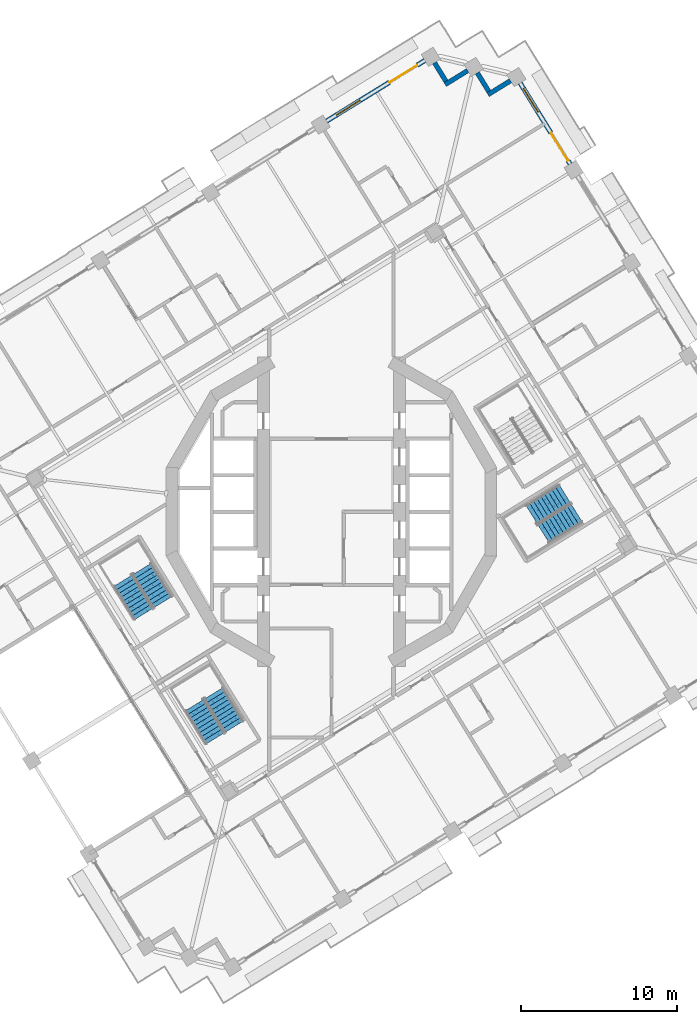
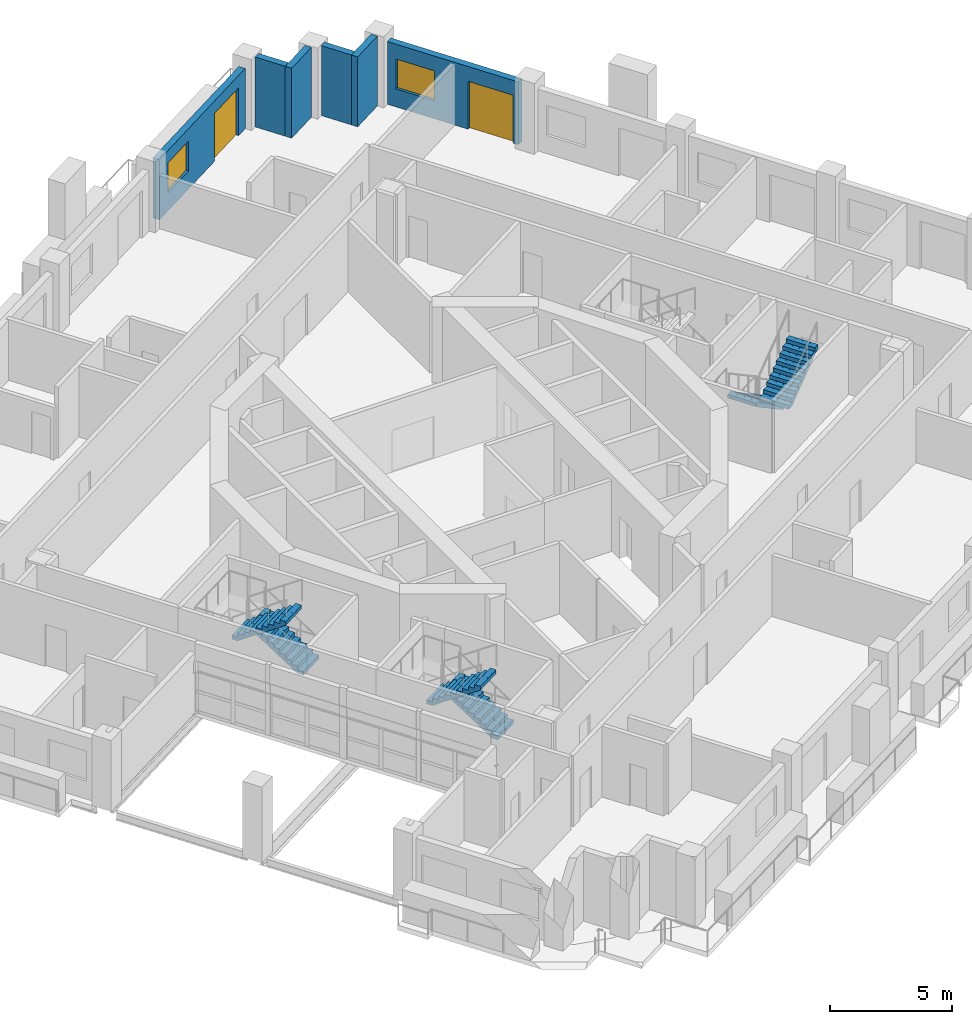
# One storey, part 13 of 22: 6 stair flights, 6 walls, 2 doors, 2 windows, 4 openings, 3 elements without a shape of their own.
"""IFC4 building model written with IfcOpenShell, lengths in metres."""

from ifc_helpers import new_model, si_unit, direction, frame, frame_2d, origin, place, context, subcontext, project, spatial, polyline, rectangle, outline, extrude, material, layer, layer_set, type_object, element, fill, aggregate, save


model = new_model("IFC4")

# Units and contexts
model_context = context("Model", 3, precision=1e-05, world=origin(), true_north=direction((0.0, 1.0)))
body_context = subcontext(model_context, "Body", "Model", "MODEL_VIEW")
ifc_project = project(units=[si_unit("LENGTHUNIT", "METRE"), si_unit("AREAUNIT", "SQUARE_METRE"), si_unit("VOLUMEUNIT", "CUBIC_METRE"), si_unit("PLANEANGLEUNIT", "RADIAN"), si_unit("MASSUNIT", "GRAM", prefix="KILO")], contexts=[model_context])

# Site, building, storey
site_placement = place(None, origin())
site = spatial("IfcSite", under=ifc_project, at=site_placement, CompositionType="ELEMENT")
building_placement = place(site_placement, origin())
building = spatial("IfcBuilding", under=site, at=building_placement, Name="Cantera Rosa Tower", CompositionType="ELEMENT")
storey_placement = place(building_placement, frame((0.0, 0.0, 166.60009765625)))
storey = spatial("IfcBuildingStorey", under=building, at=storey_placement, Name="L36", CompositionType="ELEMENT", Elevation=166.60009765625)

# Walls
ifc_material_1 = material(Name="Hollow clay masonry with cantera stone cladding", Category="masonry")
ifc_layer_1 = layer(ifc_material_1, 0.300048828125)
ifc_layer_set_1 = layer_set([ifc_layer_1], Name="EW-LOGGIA 300")
wall_type_1 = type_object("IfcWallType", Name="EW-LOGGIA 300", PredefinedType="SOLIDWALL", material=ifc_layer_set_1)
wall_1_placement = place(storey_placement, frame((11.51123046875, 27.72021484375, 0.0), z_axis=(0.0, 0.0, 1.0), x_axis=(-0.851130227454, -0.524954603669, 0.0)))
element("IfcWall", 1, at=wall_1_placement, inside=storey, type_object=wall_type_1, Name="EN-L36-W06a", PredefinedType="SOLIDWALL", context=body_context, shape_type="SweptSolid", body=[
    extrude(rectangle(XDim=1.699951171875, YDim=0.300048828125, at=frame_2d((0.85009765625, 0.0))), origin(), (0.0, 0.0, 1.0), 3.5),
])
wall_2_placement = place(storey_placement, frame((10.11328125, 27.0341796875, 0.0), z_axis=(0.0, 0.0, 1.0), x_axis=(-0.524895019961, 0.85116697423, 0.0)))
element("IfcWall", 2, at=wall_2_placement, inside=storey, type_object=wall_type_1, Name="EN-L36-W06b", PredefinedType="SOLIDWALL", context=body_context, shape_type="SweptSolid", body=[
    extrude(rectangle(XDim=1.39990234375, YDim=0.300048828125, at=frame_2d((0.699951171875, 0.0))), origin(), (0.0, 0.0, 1.0), 3.5),
])
wall_3_placement = place(storey_placement, frame((8.75927734375, 28.37255859375, 0.0), z_axis=(0.0, 0.0, 1.0), x_axis=(-0.851105638601, -0.524994468487, 0.0)))
element("IfcWall", 3, at=wall_3_placement, inside=storey, type_object=wall_type_1, Name="EN-L36-W07a", PredefinedType="SOLIDWALL", context=body_context, shape_type="SweptSolid", body=[
    extrude(rectangle(XDim=1.7001953125, YDim=0.300048828125, at=frame_2d((0.85009765625, 0.0))), origin(), (0.0, 0.0, 1.0), 3.5),
])
wall_4_placement = place(storey_placement, frame((7.361083984375, 27.6865234375, 0.0), z_axis=(0.0, 0.0, 1.0), x_axis=(-0.524895019961, 0.85116697423, 0.0)))
element("IfcWall", 4, at=wall_4_placement, inside=storey, type_object=wall_type_1, Name="EN-L36-W07b", PredefinedType="SOLIDWALL", context=body_context, shape_type="SweptSolid", body=[
    extrude(rectangle(XDim=1.39990234375, YDim=0.300048828125, at=frame_2d((0.699951171875, 0.0))), origin(), (0.0, 0.0, 1.0), 3.5),
])

# Wall, openings, window, door
ifc_material_2 = material(Name="Hollow clay masonry with cantera stone cladding", Category="masonry")
ifc_layer_2 = layer(ifc_material_2, 0.300048828125)
ifc_layer_set_2 = layer_set([ifc_layer_2], Name="EW-LOGGIA 300 H3020")
wall_type_2 = type_object("IfcWallType", Name="EW-LOGGIA 300 H3020", PredefinedType="SOLIDWALL", material=ifc_layer_set_2)
wall_5_placement = place(storey_placement, frame((6.007080078125, 29.02490234375, 0.0), z_axis=(0.0, 0.0, 1.0), x_axis=(-0.851111085575, -0.524985637909, 0.0)))
wall_5 = element("IfcWall", 5, at=wall_5_placement, inside=storey, type_object=wall_type_2, Name="EN-L36-W08", PredefinedType="SOLIDWALL", context=body_context, shape_type="SweptSolid", body=[
    extrude(rectangle(XDim=7.420166015625, YDim=0.300048828125, at=frame_2d((3.7099609375, 0.0))), origin(), (0.0, 0.0, 1.0), 3.02001953125),
])
opening_1_placement = place(wall_5_placement, frame((0.580078125, 0.0, 0.0)))
opening_1 = element("IfcOpeningElement", 6, at=opening_1_placement, cuts=wall_5, Name="Opening L36-TD11", PredefinedType="OPENING", context=body_context, shape_type="SweptSolid", body=[
    extrude(rectangle(XDim=2.10009765625, YDim=2.39990234375, at=frame_2d((1.050048828125, 1.199951171875))), frame((0.0, 0.159912109375, 0.0), z_axis=(0.0, -1.0, 0.0), x_axis=(1.0, 0.0, 0.0)), (0.0, 0.0, 1.0), 0.320068359375),
])
opening_2_placement = place(wall_5_placement, frame((4.889892578125, 0.0, 0.89990234375)))
opening_2 = element("IfcOpeningElement", 7, at=opening_2_placement, cuts=wall_5, Name="Opening L36-W12", PredefinedType="OPENING", context=body_context, shape_type="SweptSolid", body=[
    extrude(rectangle(XDim=1.800048828125, YDim=1.5, at=frame_2d((0.89990234375, 0.75))), frame((0.0, 0.159912109375, 0.0), z_axis=(0.0, -1.0, 0.0), x_axis=(1.0, 0.0, 0.0)), (0.0, 0.0, 1.0), 0.320068359375),
])
ifc_material_3 = material(Name="Aluminium frame with clear glass", Category="aluminium")
window_type = type_object("IfcWindowType", Name="Hotel room window 1800x1500", PartitioningType="DOUBLE_PANEL_VERTICAL", PredefinedType="WINDOW", material=ifc_material_3)
window_1_placement = place(opening_2_placement, origin())
window_1 = element("IfcWindow", 8, at=window_1_placement, inside=storey, type_object=window_type, Name="WINDOW L36-W12", OverallHeight=1.5, OverallWidth=1.800048828125, PartitioningType="SINGLE_PANEL", PredefinedType="WINDOW", context=body_context, shape_type="SweptSolid", body=[
    extrude(rectangle(XDim=1.800048828125, YDim=1.5, at=frame_2d((0.89990234375, 0.75))), frame((0.0, 0.030029296875, 0.0), z_axis=(0.0, -1.0, 0.0), x_axis=(1.0, 0.0, 0.0)), (0.0, 0.0, 1.0), 0.06005859375),
])
fill(opening_2, window_1)
ifc_material_4 = material(Name="Aluminium frame with clear glass", Category="aluminium")
door_type = type_object("IfcDoorType", Name="TD-H 2100x2400", OperationType="NOTDEFINED", PredefinedType="DOOR", material=ifc_material_4)
door_1_placement = place(opening_1_placement, origin())
door_1 = element("IfcDoor", 9, at=door_1_placement, inside=storey, type_object=door_type, Name="LOGGIA DOOR L36-TD11", OperationType="SLIDING_TO_LEFT", OverallHeight=2.39990234375, OverallWidth=2.10009765625, PredefinedType="DOOR", context=body_context, shape_type="SweptSolid", body=[
    extrude(rectangle(XDim=2.10009765625, YDim=2.39990234375, at=frame_2d((1.050048828125, 1.199951171875))), frame((0.0, 0.02490234375, 0.0), z_axis=(0.0, -1.0, 0.0), x_axis=(1.0, 0.0, 0.0)), (0.0, 0.0, 1.0), 0.050048828125),
])
fill(opening_1, door_1)

ifc_material_5 = material(Name="Hollow clay masonry with cantera stone cladding", Category="masonry")
ifc_layer_3 = layer(ifc_material_5, 0.300048828125)
ifc_layer_set_3 = layer_set([ifc_layer_3], Name="EW-LOGGIA 300 H3140")
wall_type_3 = type_object("IfcWallType", Name="EW-LOGGIA 300 H3140", PredefinedType="SOLIDWALL", material=ifc_layer_set_3)
wall_6_placement = place(storey_placement, frame((15.343505859375, 22.36474609375, 0.0), z_axis=(0.0, 0.0, 1.0), x_axis=(-0.524987447654, 0.851109969279, 0.0)))
wall_6 = element("IfcWall", 10, at=wall_6_placement, inside=storey, type_object=wall_type_3, Name="EN-L36-W05", PredefinedType="SOLIDWALL", context=body_context, shape_type="SweptSolid", body=[
    extrude(rectangle(XDim=6.119873046875, YDim=0.300048828125, at=frame_2d((3.06005859375, 0.0))), origin(), (0.0, 0.0, 1.0), 3.139892578125),
])
opening_3_placement = place(wall_6_placement, frame((0.2548828125, 0.0, 0.0)))
opening_3 = element("IfcOpeningElement", 11, at=opening_3_placement, cuts=wall_6, Name="Opening L36-TD09", PredefinedType="OPENING", context=body_context, shape_type="SweptSolid", body=[
    extrude(rectangle(XDim=2.10009765625, YDim=2.39990234375, at=frame_2d((1.050048828125, 1.199951171875))), frame((0.0, 0.159912109375, 0.0), z_axis=(0.0, -1.0, 0.0), x_axis=(1.0, 0.0, 0.0)), (0.0, 0.0, 1.0), 0.320068359375),
])
opening_4_placement = place(wall_6_placement, frame((3.9150390625, 0.0, 0.89990234375)))
opening_4 = element("IfcOpeningElement", 12, at=opening_4_placement, cuts=wall_6, Name="Opening L36-W10", PredefinedType="OPENING", context=body_context, shape_type="SweptSolid", body=[
    extrude(rectangle(XDim=1.800048828125, YDim=1.5, at=frame_2d((0.89990234375, 0.75))), frame((0.0, 0.159912109375, 0.0), z_axis=(0.0, -1.0, 0.0), x_axis=(1.0, 0.0, 0.0)), (0.0, 0.0, 1.0), 0.320068359375),
])
window_2_placement = place(opening_4_placement, origin())
window_2 = element("IfcWindow", 13, at=window_2_placement, inside=storey, type_object=window_type, Name="WINDOW L36-W10", OverallHeight=1.5, OverallWidth=1.800048828125, PartitioningType="SINGLE_PANEL", PredefinedType="WINDOW", context=body_context, shape_type="SweptSolid", body=[
    extrude(rectangle(XDim=1.800048828125, YDim=1.5, at=frame_2d((0.89990234375, 0.75))), frame((0.0, 0.030029296875, 0.0), z_axis=(0.0, -1.0, 0.0), x_axis=(1.0, 0.0, 0.0)), (0.0, 0.0, 1.0), 0.06005859375),
])
fill(opening_4, window_2)
door_2_placement = place(opening_3_placement, origin())
door_2 = element("IfcDoor", 14, at=door_2_placement, inside=storey, type_object=door_type, Name="LOGGIA DOOR L36-TD09", OperationType="SLIDING_TO_LEFT", OverallHeight=2.39990234375, OverallWidth=2.10009765625, PredefinedType="DOOR", context=body_context, shape_type="SweptSolid", body=[
    extrude(rectangle(XDim=2.10009765625, YDim=2.39990234375, at=frame_2d((1.050048828125, 1.199951171875))), frame((0.0, 0.02490234375, 0.0), z_axis=(0.0, -1.0, 0.0), x_axis=(1.0, 0.0, 0.0)), (0.0, 0.0, 1.0), 0.050048828125),
])
fill(opening_3, door_2)

# Stair, stair flights
ifc_material_6 = material(Name="Concrete C35/45", Category="concrete")
stair_type = type_object("IfcStairType", Name="EXIT STAIR 1350 DOGLEG", PredefinedType="HALF_TURN_STAIR", material=ifc_material_6)
stair_1_placement = place(storey_placement, origin())
stair_1 = element("IfcStair", 15, at=stair_1_placement, inside=storey, type_object=stair_type, Name="L36 ST-32", PredefinedType="HALF_TURN_STAIR")
ifc_material_7 = material(Name="Concrete C35/45", Category="concrete")
stair_flight_type = type_object("IfcStairFlightType", Name="STAIR FLIGHT 1350 R20x190", PredefinedType="STRAIGHT", material=ifc_material_7)
stair_flight_1_placement = place(storey_placement, frame((-10.82666015625, -5.7978515625, 0.0), z_axis=(0.0, 0.0, 1.0), x_axis=(-0.524976585286, 0.851116669383, 0.0)))
stair_flight_1 = element("IfcStairFlight", 16, at=stair_flight_1_placement, type_object=stair_flight_type, Name="ST-32 flight 1", NumberOfRisers=10, NumberOfTreads=9, PredefinedType="STRAIGHT", RiserHeight=0.19, TreadLength=0.28, context=body_context, shape_type="SweptSolid", body=[
    extrude(outline(polyline([(0.0, 0.0), (0.0, 0.18994140625), (0.280029296875, 0.18994140625), (0.280029296875, 0.3798828125), (0.56005859375, 0.3798828125), (0.56005859375, 0.570068359375), (0.840087890625, 0.570068359375), (0.840087890625, 0.760009765625), (1.1201171875, 0.760009765625), (1.1201171875, 0.949951171875), (1.39990234375, 0.949951171875), (1.39990234375, 1.139892578125), (1.679931640625, 1.139892578125), (1.679931640625, 1.330078125), (1.9599609375, 1.330078125), (1.9599609375, 1.52001953125), (2.239990234375, 1.52001953125), (2.239990234375, 1.7099609375), (2.52001953125, 1.7099609375), (2.52001953125, 1.89990234375), (2.52001953125, 1.52880859375), (0.266845703125, 0.0), (0.0, 0.0)])), frame((0.0, 0.675048828125, 0.0), z_axis=(0.0, -1.0, 0.0), x_axis=(1.0, 0.0, 0.0)), (0.0, 0.0, 1.0), 0.3359375),
    extrude(outline(polyline([(0.0, 0.0), (0.0, 0.18994140625), (0.280029296875, 0.18994140625), (0.280029296875, 0.3798828125), (0.56005859375, 0.3798828125), (0.56005859375, 0.570068359375), (0.840087890625, 0.570068359375), (0.840087890625, 0.760009765625), (1.1201171875, 0.760009765625), (1.1201171875, 0.949951171875), (1.39990234375, 0.949951171875), (1.39990234375, 1.139892578125), (1.679931640625, 1.139892578125), (1.679931640625, 1.330078125), (1.9599609375, 1.330078125), (1.9599609375, 1.52001953125), (2.239990234375, 1.52001953125), (2.239990234375, 1.7099609375), (2.52001953125, 1.7099609375), (2.52001953125, 1.89990234375), (2.52001953125, 1.52880859375), (0.266845703125, 0.0), (0.0, 0.0)])), frame((0.0, 0.337158203125, 0.0), z_axis=(0.0, -1.0, 0.0), x_axis=(1.0, 0.0, 0.0)), (0.0, 0.0, 1.0), 0.3359375),
    extrude(outline(polyline([(0.0, 0.0), (0.0, 0.18994140625), (0.280029296875, 0.18994140625), (0.280029296875, 0.3798828125), (0.56005859375, 0.3798828125), (0.56005859375, 0.570068359375), (0.840087890625, 0.570068359375), (0.840087890625, 0.760009765625), (1.1201171875, 0.760009765625), (1.1201171875, 0.949951171875), (1.39990234375, 0.949951171875), (1.39990234375, 1.139892578125), (1.679931640625, 1.139892578125), (1.679931640625, 1.330078125), (1.9599609375, 1.330078125), (1.9599609375, 1.52001953125), (2.239990234375, 1.52001953125), (2.239990234375, 1.7099609375), (2.52001953125, 1.7099609375), (2.52001953125, 1.89990234375), (2.52001953125, 1.52880859375), (0.266845703125, 0.0), (0.0, 0.0)])), frame((0.0, -0.000732421875, 0.0), z_axis=(0.0, -1.0, 0.0), x_axis=(1.0, 0.0, 0.0)), (0.0, 0.0, 1.0), 0.3359375),
    extrude(outline(polyline([(0.0, 0.0), (0.0, 0.18994140625), (0.280029296875, 0.18994140625), (0.280029296875, 0.3798828125), (0.56005859375, 0.3798828125), (0.56005859375, 0.570068359375), (0.840087890625, 0.570068359375), (0.840087890625, 0.760009765625), (1.1201171875, 0.760009765625), (1.1201171875, 0.949951171875), (1.39990234375, 0.949951171875), (1.39990234375, 1.139892578125), (1.679931640625, 1.139892578125), (1.679931640625, 1.330078125), (1.9599609375, 1.330078125), (1.9599609375, 1.52001953125), (2.239990234375, 1.52001953125), (2.239990234375, 1.7099609375), (2.52001953125, 1.7099609375), (2.52001953125, 1.89990234375), (2.52001953125, 1.52880859375), (0.266845703125, 0.0), (0.0, 0.0)])), frame((0.0, -0.338623046875, 0.0), z_axis=(0.0, -1.0, 0.0), x_axis=(1.0, 0.0, 0.0)), (0.0, 0.0, 1.0), 0.3359375),
])
stair_flight_2_placement = place(storey_placement, frame((-13.42626953125, -4.4404296875, 1.89990234375), z_axis=(0.0, 0.0, 1.0), x_axis=(0.524976585286, -0.851116669383, 0.0)))
stair_flight_2 = element("IfcStairFlight", 17, at=stair_flight_2_placement, type_object=stair_flight_type, Name="ST-32 flight 2", NumberOfRisers=10, NumberOfTreads=9, PredefinedType="STRAIGHT", RiserHeight=0.19, TreadLength=0.28, context=body_context, shape_type="SweptSolid", body=[
    extrude(outline(polyline([(0.0, 0.0), (0.0, 0.18994140625), (0.280029296875, 0.18994140625), (0.280029296875, 0.3798828125), (0.56005859375, 0.3798828125), (0.56005859375, 0.570068359375), (0.840087890625, 0.570068359375), (0.840087890625, 0.760009765625), (1.1201171875, 0.760009765625), (1.1201171875, 0.949951171875), (1.39990234375, 0.949951171875), (1.39990234375, 1.139892578125), (1.679931640625, 1.139892578125), (1.679931640625, 1.330078125), (1.9599609375, 1.330078125), (1.9599609375, 1.52001953125), (2.239990234375, 1.52001953125), (2.239990234375, 1.7099609375), (2.52001953125, 1.7099609375), (2.52001953125, 1.89990234375), (2.52001953125, 1.52880859375), (0.266845703125, 0.0), (0.0, 0.0)])), frame((0.0, 0.675048828125, 0.0), z_axis=(0.0, -1.0, 0.0), x_axis=(1.0, 0.0, 0.0)), (0.0, 0.0, 1.0), 0.3359375),
    extrude(outline(polyline([(0.0, 0.0), (0.0, 0.18994140625), (0.280029296875, 0.18994140625), (0.280029296875, 0.3798828125), (0.56005859375, 0.3798828125), (0.56005859375, 0.570068359375), (0.840087890625, 0.570068359375), (0.840087890625, 0.760009765625), (1.1201171875, 0.760009765625), (1.1201171875, 0.949951171875), (1.39990234375, 0.949951171875), (1.39990234375, 1.139892578125), (1.679931640625, 1.139892578125), (1.679931640625, 1.330078125), (1.9599609375, 1.330078125), (1.9599609375, 1.52001953125), (2.239990234375, 1.52001953125), (2.239990234375, 1.7099609375), (2.52001953125, 1.7099609375), (2.52001953125, 1.89990234375), (2.52001953125, 1.52880859375), (0.266845703125, 0.0), (0.0, 0.0)])), frame((0.0, 0.337158203125, 0.0), z_axis=(0.0, -1.0, 0.0), x_axis=(1.0, 0.0, 0.0)), (0.0, 0.0, 1.0), 0.3359375),
    extrude(outline(polyline([(0.0, 0.0), (0.0, 0.18994140625), (0.280029296875, 0.18994140625), (0.280029296875, 0.3798828125), (0.56005859375, 0.3798828125), (0.56005859375, 0.570068359375), (0.840087890625, 0.570068359375), (0.840087890625, 0.760009765625), (1.1201171875, 0.760009765625), (1.1201171875, 0.949951171875), (1.39990234375, 0.949951171875), (1.39990234375, 1.139892578125), (1.679931640625, 1.139892578125), (1.679931640625, 1.330078125), (1.9599609375, 1.330078125), (1.9599609375, 1.52001953125), (2.239990234375, 1.52001953125), (2.239990234375, 1.7099609375), (2.52001953125, 1.7099609375), (2.52001953125, 1.89990234375), (2.52001953125, 1.52880859375), (0.266845703125, 0.0), (0.0, 0.0)])), frame((0.0, -0.000732421875, 0.0), z_axis=(0.0, -1.0, 0.0), x_axis=(1.0, 0.0, 0.0)), (0.0, 0.0, 1.0), 0.3359375),
    extrude(outline(polyline([(0.0, 0.0), (0.0, 0.18994140625), (0.280029296875, 0.18994140625), (0.280029296875, 0.3798828125), (0.56005859375, 0.3798828125), (0.56005859375, 0.570068359375), (0.840087890625, 0.570068359375), (0.840087890625, 0.760009765625), (1.1201171875, 0.760009765625), (1.1201171875, 0.949951171875), (1.39990234375, 0.949951171875), (1.39990234375, 1.139892578125), (1.679931640625, 1.139892578125), (1.679931640625, 1.330078125), (1.9599609375, 1.330078125), (1.9599609375, 1.52001953125), (2.239990234375, 1.52001953125), (2.239990234375, 1.7099609375), (2.52001953125, 1.7099609375), (2.52001953125, 1.89990234375), (2.52001953125, 1.52880859375), (0.266845703125, 0.0), (0.0, 0.0)])), frame((0.0, -0.338623046875, 0.0), z_axis=(0.0, -1.0, 0.0), x_axis=(1.0, 0.0, 0.0)), (0.0, 0.0, 1.0), 0.3359375),
])
aggregate(stair_1, [stair_flight_1, stair_flight_2])

stair_2_placement = place(storey_placement, origin())
stair_2 = element("IfcStair", 18, at=stair_2_placement, inside=storey, type_object=stair_type, Name="L36 ST-33", PredefinedType="HALF_TURN_STAIR")
stair_flight_3_placement = place(storey_placement, frame((-6.226806640625, -13.7978515625, 0.0), z_axis=(0.0, 0.0, 1.0), x_axis=(-0.524976585286, 0.851116669383, 0.0)))
stair_flight_3 = element("IfcStairFlight", 19, at=stair_flight_3_placement, type_object=stair_flight_type, Name="ST-33 flight 1", NumberOfRisers=10, NumberOfTreads=9, PredefinedType="STRAIGHT", RiserHeight=0.19, TreadLength=0.28, context=body_context, shape_type="SweptSolid", body=[
    extrude(outline(polyline([(0.0, 0.0), (0.0, 0.18994140625), (0.280029296875, 0.18994140625), (0.280029296875, 0.3798828125), (0.56005859375, 0.3798828125), (0.56005859375, 0.570068359375), (0.840087890625, 0.570068359375), (0.840087890625, 0.760009765625), (1.1201171875, 0.760009765625), (1.1201171875, 0.949951171875), (1.39990234375, 0.949951171875), (1.39990234375, 1.139892578125), (1.679931640625, 1.139892578125), (1.679931640625, 1.330078125), (1.9599609375, 1.330078125), (1.9599609375, 1.52001953125), (2.239990234375, 1.52001953125), (2.239990234375, 1.7099609375), (2.52001953125, 1.7099609375), (2.52001953125, 1.89990234375), (2.52001953125, 1.52880859375), (0.266845703125, 0.0), (0.0, 0.0)])), frame((0.0, 0.675048828125, 0.0), z_axis=(0.0, -1.0, 0.0), x_axis=(1.0, 0.0, 0.0)), (0.0, 0.0, 1.0), 0.3359375),
    extrude(outline(polyline([(0.0, 0.0), (0.0, 0.18994140625), (0.280029296875, 0.18994140625), (0.280029296875, 0.3798828125), (0.56005859375, 0.3798828125), (0.56005859375, 0.570068359375), (0.840087890625, 0.570068359375), (0.840087890625, 0.760009765625), (1.1201171875, 0.760009765625), (1.1201171875, 0.949951171875), (1.39990234375, 0.949951171875), (1.39990234375, 1.139892578125), (1.679931640625, 1.139892578125), (1.679931640625, 1.330078125), (1.9599609375, 1.330078125), (1.9599609375, 1.52001953125), (2.239990234375, 1.52001953125), (2.239990234375, 1.7099609375), (2.52001953125, 1.7099609375), (2.52001953125, 1.89990234375), (2.52001953125, 1.52880859375), (0.266845703125, 0.0), (0.0, 0.0)])), frame((0.0, 0.337158203125, 0.0), z_axis=(0.0, -1.0, 0.0), x_axis=(1.0, 0.0, 0.0)), (0.0, 0.0, 1.0), 0.3359375),
    extrude(outline(polyline([(0.0, 0.0), (0.0, 0.18994140625), (0.280029296875, 0.18994140625), (0.280029296875, 0.3798828125), (0.56005859375, 0.3798828125), (0.56005859375, 0.570068359375), (0.840087890625, 0.570068359375), (0.840087890625, 0.760009765625), (1.1201171875, 0.760009765625), (1.1201171875, 0.949951171875), (1.39990234375, 0.949951171875), (1.39990234375, 1.139892578125), (1.679931640625, 1.139892578125), (1.679931640625, 1.330078125), (1.9599609375, 1.330078125), (1.9599609375, 1.52001953125), (2.239990234375, 1.52001953125), (2.239990234375, 1.7099609375), (2.52001953125, 1.7099609375), (2.52001953125, 1.89990234375), (2.52001953125, 1.52880859375), (0.266845703125, 0.0), (0.0, 0.0)])), frame((0.0, -0.000732421875, 0.0), z_axis=(0.0, -1.0, 0.0), x_axis=(1.0, 0.0, 0.0)), (0.0, 0.0, 1.0), 0.3359375),
    extrude(outline(polyline([(0.0, 0.0), (0.0, 0.18994140625), (0.280029296875, 0.18994140625), (0.280029296875, 0.3798828125), (0.56005859375, 0.3798828125), (0.56005859375, 0.570068359375), (0.840087890625, 0.570068359375), (0.840087890625, 0.760009765625), (1.1201171875, 0.760009765625), (1.1201171875, 0.949951171875), (1.39990234375, 0.949951171875), (1.39990234375, 1.139892578125), (1.679931640625, 1.139892578125), (1.679931640625, 1.330078125), (1.9599609375, 1.330078125), (1.9599609375, 1.52001953125), (2.239990234375, 1.52001953125), (2.239990234375, 1.7099609375), (2.52001953125, 1.7099609375), (2.52001953125, 1.89990234375), (2.52001953125, 1.52880859375), (0.266845703125, 0.0), (0.0, 0.0)])), frame((0.0, -0.338623046875, 0.0), z_axis=(0.0, -1.0, 0.0), x_axis=(1.0, 0.0, 0.0)), (0.0, 0.0, 1.0), 0.3359375),
])
stair_flight_4_placement = place(storey_placement, frame((-8.826416015625, -12.4404296875, 1.89990234375), z_axis=(0.0, 0.0, 1.0), x_axis=(0.524976585286, -0.851116669383, 0.0)))
stair_flight_4 = element("IfcStairFlight", 20, at=stair_flight_4_placement, type_object=stair_flight_type, Name="ST-33 flight 2", NumberOfRisers=10, NumberOfTreads=9, PredefinedType="STRAIGHT", RiserHeight=0.19, TreadLength=0.28, context=body_context, shape_type="SweptSolid", body=[
    extrude(outline(polyline([(0.0, 0.0), (0.0, 0.18994140625), (0.280029296875, 0.18994140625), (0.280029296875, 0.3798828125), (0.56005859375, 0.3798828125), (0.56005859375, 0.570068359375), (0.840087890625, 0.570068359375), (0.840087890625, 0.760009765625), (1.1201171875, 0.760009765625), (1.1201171875, 0.949951171875), (1.39990234375, 0.949951171875), (1.39990234375, 1.139892578125), (1.679931640625, 1.139892578125), (1.679931640625, 1.330078125), (1.9599609375, 1.330078125), (1.9599609375, 1.52001953125), (2.239990234375, 1.52001953125), (2.239990234375, 1.7099609375), (2.52001953125, 1.7099609375), (2.52001953125, 1.89990234375), (2.52001953125, 1.52880859375), (0.266845703125, 0.0), (0.0, 0.0)])), frame((0.0, 0.675048828125, 0.0), z_axis=(0.0, -1.0, 0.0), x_axis=(1.0, 0.0, 0.0)), (0.0, 0.0, 1.0), 0.3359375),
    extrude(outline(polyline([(0.0, 0.0), (0.0, 0.18994140625), (0.280029296875, 0.18994140625), (0.280029296875, 0.3798828125), (0.56005859375, 0.3798828125), (0.56005859375, 0.570068359375), (0.840087890625, 0.570068359375), (0.840087890625, 0.760009765625), (1.1201171875, 0.760009765625), (1.1201171875, 0.949951171875), (1.39990234375, 0.949951171875), (1.39990234375, 1.139892578125), (1.679931640625, 1.139892578125), (1.679931640625, 1.330078125), (1.9599609375, 1.330078125), (1.9599609375, 1.52001953125), (2.239990234375, 1.52001953125), (2.239990234375, 1.7099609375), (2.52001953125, 1.7099609375), (2.52001953125, 1.89990234375), (2.52001953125, 1.52880859375), (0.266845703125, 0.0), (0.0, 0.0)])), frame((0.0, 0.337158203125, 0.0), z_axis=(0.0, -1.0, 0.0), x_axis=(1.0, 0.0, 0.0)), (0.0, 0.0, 1.0), 0.3359375),
    extrude(outline(polyline([(0.0, 0.0), (0.0, 0.18994140625), (0.280029296875, 0.18994140625), (0.280029296875, 0.3798828125), (0.56005859375, 0.3798828125), (0.56005859375, 0.570068359375), (0.840087890625, 0.570068359375), (0.840087890625, 0.760009765625), (1.1201171875, 0.760009765625), (1.1201171875, 0.949951171875), (1.39990234375, 0.949951171875), (1.39990234375, 1.139892578125), (1.679931640625, 1.139892578125), (1.679931640625, 1.330078125), (1.9599609375, 1.330078125), (1.9599609375, 1.52001953125), (2.239990234375, 1.52001953125), (2.239990234375, 1.7099609375), (2.52001953125, 1.7099609375), (2.52001953125, 1.89990234375), (2.52001953125, 1.52880859375), (0.266845703125, 0.0), (0.0, 0.0)])), frame((0.0, -0.000732421875, 0.0), z_axis=(0.0, -1.0, 0.0), x_axis=(1.0, 0.0, 0.0)), (0.0, 0.0, 1.0), 0.3359375),
    extrude(outline(polyline([(0.0, 0.0), (0.0, 0.18994140625), (0.280029296875, 0.18994140625), (0.280029296875, 0.3798828125), (0.56005859375, 0.3798828125), (0.56005859375, 0.570068359375), (0.840087890625, 0.570068359375), (0.840087890625, 0.760009765625), (1.1201171875, 0.760009765625), (1.1201171875, 0.949951171875), (1.39990234375, 0.949951171875), (1.39990234375, 1.139892578125), (1.679931640625, 1.139892578125), (1.679931640625, 1.330078125), (1.9599609375, 1.330078125), (1.9599609375, 1.52001953125), (2.239990234375, 1.52001953125), (2.239990234375, 1.7099609375), (2.52001953125, 1.7099609375), (2.52001953125, 1.89990234375), (2.52001953125, 1.52880859375), (0.266845703125, 0.0), (0.0, 0.0)])), frame((0.0, -0.338623046875, 0.0), z_axis=(0.0, -1.0, 0.0), x_axis=(1.0, 0.0, 0.0)), (0.0, 0.0, 1.0), 0.3359375),
])
aggregate(stair_2, [stair_flight_3, stair_flight_4])

stair_3_placement = place(storey_placement, origin())
stair_3 = element("IfcStair", 21, at=stair_3_placement, inside=storey, type_object=stair_type, Name="L36 ST-34", PredefinedType="HALF_TURN_STAIR")
stair_flight_5_placement = place(storey_placement, frame((14.997802734375, 1.17333984375, 0.0), z_axis=(0.0, 0.0, 1.0), x_axis=(-0.851116669383, -0.524976585286, 0.0)))
stair_flight_5 = element("IfcStairFlight", 22, at=stair_flight_5_placement, type_object=stair_flight_type, Name="ST-34 flight 1", NumberOfRisers=10, NumberOfTreads=9, PredefinedType="STRAIGHT", RiserHeight=0.19, TreadLength=0.28, context=body_context, shape_type="SweptSolid", body=[
    extrude(outline(polyline([(0.0, 0.0), (0.0, 0.18994140625), (0.280029296875, 0.18994140625), (0.280029296875, 0.3798828125), (0.56005859375, 0.3798828125), (0.56005859375, 0.570068359375), (0.840087890625, 0.570068359375), (0.840087890625, 0.760009765625), (1.1201171875, 0.760009765625), (1.1201171875, 0.949951171875), (1.39990234375, 0.949951171875), (1.39990234375, 1.139892578125), (1.679931640625, 1.139892578125), (1.679931640625, 1.330078125), (1.9599609375, 1.330078125), (1.9599609375, 1.52001953125), (2.239990234375, 1.52001953125), (2.239990234375, 1.7099609375), (2.52001953125, 1.7099609375), (2.52001953125, 1.89990234375), (2.52001953125, 1.52880859375), (0.266845703125, 0.0), (0.0, 0.0)])), frame((0.0, 0.675048828125, 0.0), z_axis=(0.0, -1.0, 0.0), x_axis=(1.0, 0.0, 0.0)), (0.0, 0.0, 1.0), 0.3359375),
    extrude(outline(polyline([(0.0, 0.0), (0.0, 0.18994140625), (0.280029296875, 0.18994140625), (0.280029296875, 0.3798828125), (0.56005859375, 0.3798828125), (0.56005859375, 0.570068359375), (0.840087890625, 0.570068359375), (0.840087890625, 0.760009765625), (1.1201171875, 0.760009765625), (1.1201171875, 0.949951171875), (1.39990234375, 0.949951171875), (1.39990234375, 1.139892578125), (1.679931640625, 1.139892578125), (1.679931640625, 1.330078125), (1.9599609375, 1.330078125), (1.9599609375, 1.52001953125), (2.239990234375, 1.52001953125), (2.239990234375, 1.7099609375), (2.52001953125, 1.7099609375), (2.52001953125, 1.89990234375), (2.52001953125, 1.52880859375), (0.266845703125, 0.0), (0.0, 0.0)])), frame((0.0, 0.337158203125, 0.0), z_axis=(0.0, -1.0, 0.0), x_axis=(1.0, 0.0, 0.0)), (0.0, 0.0, 1.0), 0.3359375),
    extrude(outline(polyline([(0.0, 0.0), (0.0, 0.18994140625), (0.280029296875, 0.18994140625), (0.280029296875, 0.3798828125), (0.56005859375, 0.3798828125), (0.56005859375, 0.570068359375), (0.840087890625, 0.570068359375), (0.840087890625, 0.760009765625), (1.1201171875, 0.760009765625), (1.1201171875, 0.949951171875), (1.39990234375, 0.949951171875), (1.39990234375, 1.139892578125), (1.679931640625, 1.139892578125), (1.679931640625, 1.330078125), (1.9599609375, 1.330078125), (1.9599609375, 1.52001953125), (2.239990234375, 1.52001953125), (2.239990234375, 1.7099609375), (2.52001953125, 1.7099609375), (2.52001953125, 1.89990234375), (2.52001953125, 1.52880859375), (0.266845703125, 0.0), (0.0, 0.0)])), frame((0.0, -0.000732421875, 0.0), z_axis=(0.0, -1.0, 0.0), x_axis=(1.0, 0.0, 0.0)), (0.0, 0.0, 1.0), 0.3359375),
    extrude(outline(polyline([(0.0, 0.0), (0.0, 0.18994140625), (0.280029296875, 0.18994140625), (0.280029296875, 0.3798828125), (0.56005859375, 0.3798828125), (0.56005859375, 0.570068359375), (0.840087890625, 0.570068359375), (0.840087890625, 0.760009765625), (1.1201171875, 0.760009765625), (1.1201171875, 0.949951171875), (1.39990234375, 0.949951171875), (1.39990234375, 1.139892578125), (1.679931640625, 1.139892578125), (1.679931640625, 1.330078125), (1.9599609375, 1.330078125), (1.9599609375, 1.52001953125), (2.239990234375, 1.52001953125), (2.239990234375, 1.7099609375), (2.52001953125, 1.7099609375), (2.52001953125, 1.89990234375), (2.52001953125, 1.52880859375), (0.266845703125, 0.0), (0.0, 0.0)])), frame((0.0, -0.338623046875, 0.0), z_axis=(0.0, -1.0, 0.0), x_axis=(1.0, 0.0, 0.0)), (0.0, 0.0, 1.0), 0.3359375),
])
stair_flight_6_placement = place(storey_placement, frame((13.640380859375, -1.42626953125, 1.89990234375), z_axis=(0.0, 0.0, 1.0), x_axis=(0.851116669383, 0.524976585286, 0.0)))
stair_flight_6 = element("IfcStairFlight", 23, at=stair_flight_6_placement, type_object=stair_flight_type, Name="ST-34 flight 2", NumberOfRisers=10, NumberOfTreads=9, PredefinedType="STRAIGHT", RiserHeight=0.19, TreadLength=0.28, context=body_context, shape_type="SweptSolid", body=[
    extrude(outline(polyline([(0.0, 0.0), (0.0, 0.18994140625), (0.280029296875, 0.18994140625), (0.280029296875, 0.3798828125), (0.56005859375, 0.3798828125), (0.56005859375, 0.570068359375), (0.840087890625, 0.570068359375), (0.840087890625, 0.760009765625), (1.1201171875, 0.760009765625), (1.1201171875, 0.949951171875), (1.39990234375, 0.949951171875), (1.39990234375, 1.139892578125), (1.679931640625, 1.139892578125), (1.679931640625, 1.330078125), (1.9599609375, 1.330078125), (1.9599609375, 1.52001953125), (2.239990234375, 1.52001953125), (2.239990234375, 1.7099609375), (2.52001953125, 1.7099609375), (2.52001953125, 1.89990234375), (2.52001953125, 1.52880859375), (0.266845703125, 0.0), (0.0, 0.0)])), frame((0.0, 0.675048828125, 0.0), z_axis=(0.0, -1.0, 0.0), x_axis=(1.0, 0.0, 0.0)), (0.0, 0.0, 1.0), 0.3359375),
    extrude(outline(polyline([(0.0, 0.0), (0.0, 0.18994140625), (0.280029296875, 0.18994140625), (0.280029296875, 0.3798828125), (0.56005859375, 0.3798828125), (0.56005859375, 0.570068359375), (0.840087890625, 0.570068359375), (0.840087890625, 0.760009765625), (1.1201171875, 0.760009765625), (1.1201171875, 0.949951171875), (1.39990234375, 0.949951171875), (1.39990234375, 1.139892578125), (1.679931640625, 1.139892578125), (1.679931640625, 1.330078125), (1.9599609375, 1.330078125), (1.9599609375, 1.52001953125), (2.239990234375, 1.52001953125), (2.239990234375, 1.7099609375), (2.52001953125, 1.7099609375), (2.52001953125, 1.89990234375), (2.52001953125, 1.52880859375), (0.266845703125, 0.0), (0.0, 0.0)])), frame((0.0, 0.337158203125, 0.0), z_axis=(0.0, -1.0, 0.0), x_axis=(1.0, 0.0, 0.0)), (0.0, 0.0, 1.0), 0.3359375),
    extrude(outline(polyline([(0.0, 0.0), (0.0, 0.18994140625), (0.280029296875, 0.18994140625), (0.280029296875, 0.3798828125), (0.56005859375, 0.3798828125), (0.56005859375, 0.570068359375), (0.840087890625, 0.570068359375), (0.840087890625, 0.760009765625), (1.1201171875, 0.760009765625), (1.1201171875, 0.949951171875), (1.39990234375, 0.949951171875), (1.39990234375, 1.139892578125), (1.679931640625, 1.139892578125), (1.679931640625, 1.330078125), (1.9599609375, 1.330078125), (1.9599609375, 1.52001953125), (2.239990234375, 1.52001953125), (2.239990234375, 1.7099609375), (2.52001953125, 1.7099609375), (2.52001953125, 1.89990234375), (2.52001953125, 1.52880859375), (0.266845703125, 0.0), (0.0, 0.0)])), frame((0.0, -0.000732421875, 0.0), z_axis=(0.0, -1.0, 0.0), x_axis=(1.0, 0.0, 0.0)), (0.0, 0.0, 1.0), 0.3359375),
    extrude(outline(polyline([(0.0, 0.0), (0.0, 0.18994140625), (0.280029296875, 0.18994140625), (0.280029296875, 0.3798828125), (0.56005859375, 0.3798828125), (0.56005859375, 0.570068359375), (0.840087890625, 0.570068359375), (0.840087890625, 0.760009765625), (1.1201171875, 0.760009765625), (1.1201171875, 0.949951171875), (1.39990234375, 0.949951171875), (1.39990234375, 1.139892578125), (1.679931640625, 1.139892578125), (1.679931640625, 1.330078125), (1.9599609375, 1.330078125), (1.9599609375, 1.52001953125), (2.239990234375, 1.52001953125), (2.239990234375, 1.7099609375), (2.52001953125, 1.7099609375), (2.52001953125, 1.89990234375), (2.52001953125, 1.52880859375), (0.266845703125, 0.0), (0.0, 0.0)])), frame((0.0, -0.338623046875, 0.0), z_axis=(0.0, -1.0, 0.0), x_axis=(1.0, 0.0, 0.0)), (0.0, 0.0, 1.0), 0.3359375),
])
aggregate(stair_3, [stair_flight_5, stair_flight_6])

save(model, "model.ifc")
